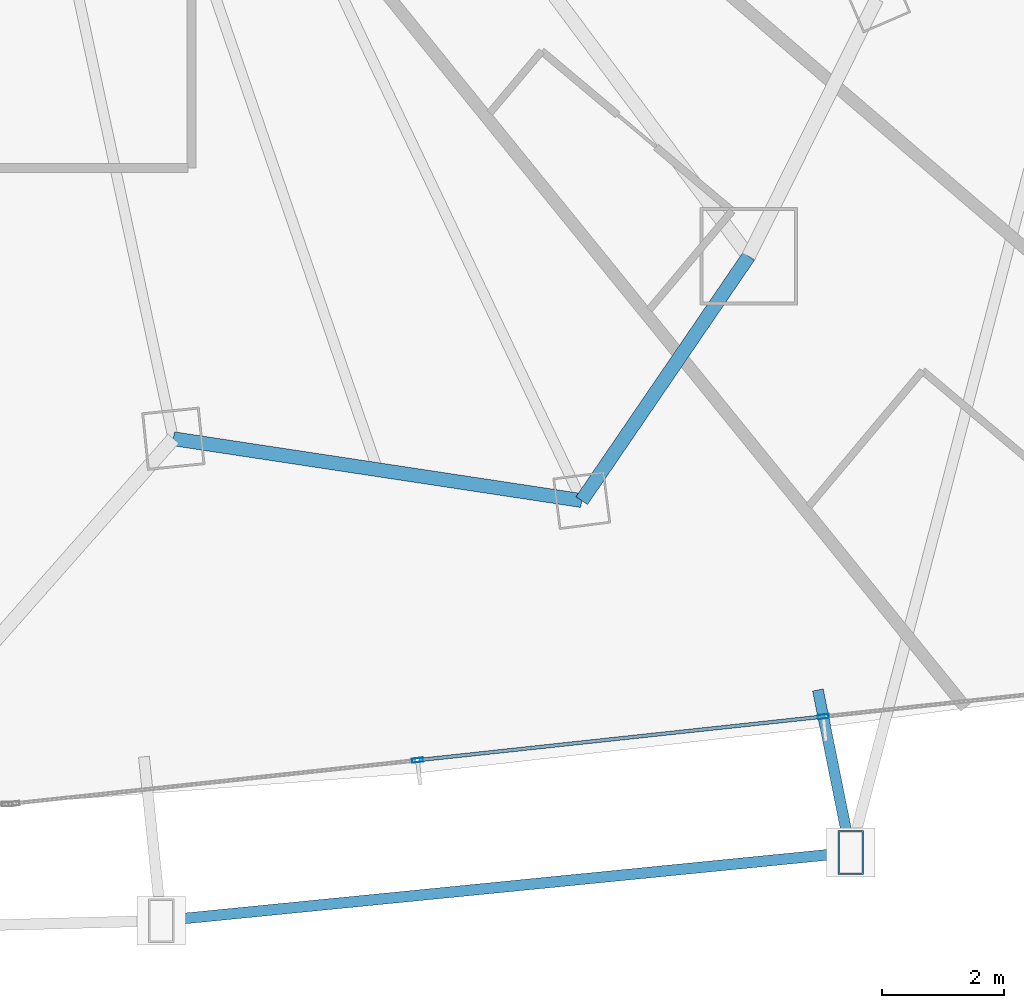
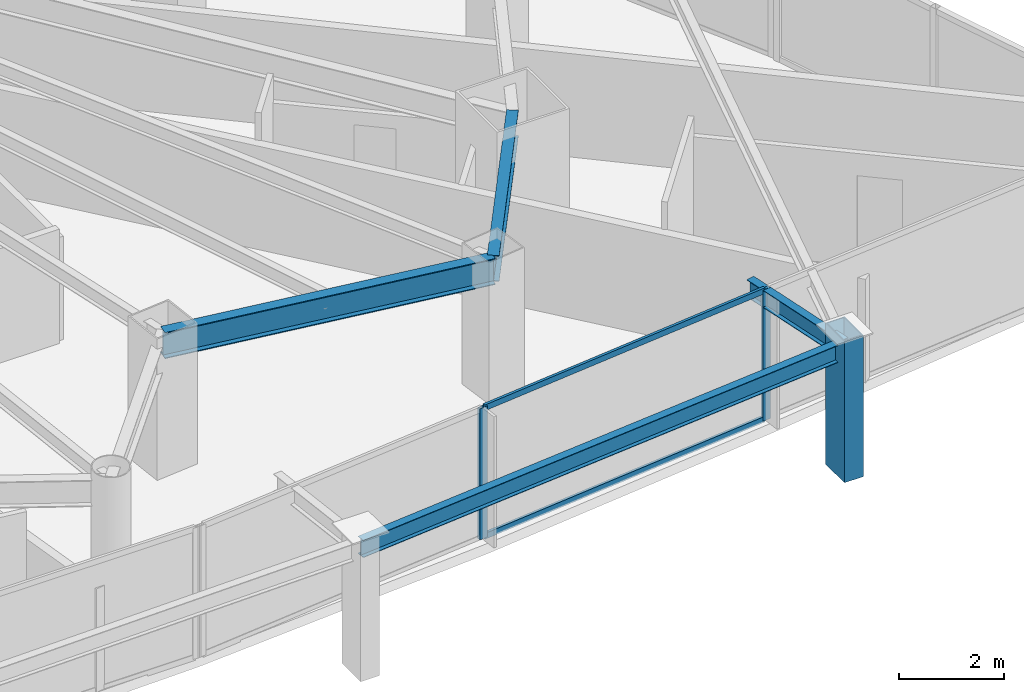
# One storey, part 13 of 35: 5 members, 4 beams, 1 element without a shape of its own.
"""IFC4 building model written with IfcOpenShell, lengths in metres."""

import ifcopenshell
import ifcopenshell.guid

model = None  # the IFC model being written
_history = None  # IfcOwnerHistory: only IFC2X3 demands one
_inside = {}  # id of a spatial element -> (the spatial element, [elements in it])
_under = {}  # id of a project, library or spatial element -> (it, [spatial elements below it])
_declared = {}  # id of a project -> (the project, [libraries it declares])
_typed = {}  # id of a type object -> (the type object, [elements of that type])
_made_of = {}  # id of a material, layer set ... -> (it, [elements and type objects made of it])


def new_model(schema):
    """Start an empty IFC model of exactly this schema.

    Asked for "IFC4X3", IfcOpenShell would pick the latest addendum, in which some entities
    have other attributes; the version numbers below select the first issue.
    IFC2X3 requires an IfcOwnerHistory on every rooted entity: one is made here for all.
    """
    global model, _history
    if schema == "IFC4X3":
        model = ifcopenshell.file(schema_version=(4, 3, 0, 0))
    else:
        model = ifcopenshell.file(schema=schema)
    _inside.clear()
    _under.clear()
    _declared.clear()
    _typed.clear()
    _made_of.clear()
    _history = None
    if model.schema == "IFC2X3":
        org = make("IfcOrganization", Name="unknown")
        user = make(
            "IfcPersonAndOrganization",
            ThePerson=make("IfcPerson", FamilyName="unknown"),
            TheOrganization=org,
        )
        app = make(
            "IfcApplication",
            ApplicationDeveloper=org,
            Version="unknown",
            ApplicationFullName="unknown",
            ApplicationIdentifier="unknown",
        )
        _history = make(
            "IfcOwnerHistory",
            OwningUser=user,
            OwningApplication=app,
            ChangeAction="ADDED",
            CreationDate=0,
        )
    return model


def make(cls, **values):
    """One entity of the class cls with the attributes given. An attribute that is None is left unset."""
    return model.create_entity(
        cls, **{name: value for name, value in values.items() if value is not None}
    )


def rooted(cls, **values):
    """An entity with a GlobalId (a new one), such as an element, a storey or a relation."""
    return make(cls, GlobalId=ifcopenshell.guid.new(), OwnerHistory=_history, **values)


def si_unit(unit_type, name, prefix=None):
    """IfcSIUnit, for example si_unit("LENGTHUNIT", "METRE", prefix="MILLI")."""
    return make("IfcSIUnit", UnitType=unit_type, Prefix=prefix, Name=name)


def assignment(units):
    """IfcUnitAssignment: the units of a project."""
    return None if units is None else make("IfcUnitAssignment", Units=units)


def point(xyz):
    """IfcCartesianPoint."""
    return None if xyz is None else make("IfcCartesianPoint", Coordinates=xyz)


def direction(xyz):
    """IfcDirection."""
    return None if xyz is None else make("IfcDirection", DirectionRatios=xyz)


def frame(location, z_axis=None, x_axis=None):
    """IfcAxis2Placement3D, a coordinate frame: its origin and axes. An axis left out is left unset."""
    return make(
        "IfcAxis2Placement3D",
        Location=point(location),
        Axis=direction(z_axis),
        RefDirection=direction(x_axis),
    )


def frame_2d(location, x_axis=None):
    """IfcAxis2Placement2D, a coordinate frame in the plane: its origin and x axis."""
    return make(
        "IfcAxis2Placement2D", Location=point(location), RefDirection=direction(x_axis)
    )


def origin():
    """The frame at (0, 0, 0) with its axes left unset."""
    return frame((0.0, 0.0, 0.0))


def origin_2d():
    """The frame at (0, 0) in the plane with its x axis left unset."""
    return frame_2d((0.0, 0.0))


def place(relative_to, where):
    """IfcLocalPlacement: puts the frame where relative to a parent placement (None: the world)."""
    return make(
        "IfcLocalPlacement", PlacementRelTo=relative_to, RelativePlacement=where
    )


def context(
    kind, dimensions, precision=None, world=None, true_north=None, identifier=None
):
    """IfcGeometricRepresentationContext, for example the 3D "Model" context."""
    return make(
        "IfcGeometricRepresentationContext",
        ContextIdentifier=identifier,
        ContextType=kind,
        CoordinateSpaceDimension=dimensions,
        Precision=precision,
        WorldCoordinateSystem=world,
        TrueNorth=true_north,
    )


def subcontext(parent, identifier, kind, view, scale=None):
    """IfcGeometricRepresentationSubContext, for example "Body" below "Model"."""
    return make(
        "IfcGeometricRepresentationSubContext",
        ContextIdentifier=identifier,
        ContextType=kind,
        ParentContext=parent,
        TargetScale=scale,
        TargetView=view,
    )


def project(units=None, contexts=None):
    """IfcProject with its units and contexts."""
    return rooted(
        "IfcProject",
        Name="project",
        RepresentationContexts=contexts,
        UnitsInContext=assignment(units),
    )


def spatial(cls, under=None, at=None, **own):
    """A site, building, storey or space (cls), placed at a placement, below another one or the project."""
    s = rooted(cls, ObjectPlacement=at, **own)
    if under is not None:
        _under.setdefault(under.id(), (under, []))[1].append(s)
    return s


def profile(cls, at=None, kind="AREA", **sizes):
    """A parametric profile (cls). Its sizes go by their IFC names, for example OverallWidth=200.0."""
    return make(cls, ProfileType=kind, Position=at, **sizes)


def hollow_rectangle(**sizes):
    """IfcRectangleHollowProfileDef."""
    return profile("IfcRectangleHollowProfileDef", **sizes)


def i_section(**sizes):
    """IfcIShapeProfileDef."""
    return profile("IfcIShapeProfileDef", **sizes)


def extrude(swept, where, along, depth):
    """IfcExtrudedAreaSolid: the profile swept, set in the frame where, extruded along a direction by depth."""
    return make(
        "IfcExtrudedAreaSolid",
        SweptArea=swept,
        Position=where,
        ExtrudedDirection=direction(along),
        Depth=depth,
    )


def shape(context_of_items, identifier, shape_type, items):
    """IfcShapeRepresentation: the items that make up one representation, for example the "Body"."""
    return make(
        "IfcShapeRepresentation",
        ContextOfItems=context_of_items,
        RepresentationIdentifier=identifier,
        RepresentationType=shape_type,
        Items=items,
    )


def material(Name=None, Category=None):
    """IfcMaterial."""
    return make("IfcMaterial", Name=Name, Category=Category)


def layer(
    of_material, thickness, ventilated=None, Name=None, Category=None, Priority=None
):
    """IfcMaterialLayer: one layer of a wall or slab, of a material (None: an air gap)."""
    return make(
        "IfcMaterialLayer",
        Material=of_material,
        LayerThickness=thickness,
        IsVentilated=ventilated,
        Name=Name,
        Category=Category,
        Priority=Priority,
    )


def layer_set(layers, Name=None):
    """IfcMaterialLayerSet."""
    return make("IfcMaterialLayerSet", MaterialLayers=layers, LayerSetName=Name)


def material_profile(
    of_material, cross_section, Name=None, Category=None, Priority=None
):
    """IfcMaterialProfile: a cross section and its material."""
    return make(
        "IfcMaterialProfile",
        Name=Name,
        Material=of_material,
        Profile=cross_section,
        Priority=Priority,
        Category=Category,
    )


def profile_set(profiles, Name=None, composite=None):
    """IfcMaterialProfileSet."""
    return make(
        "IfcMaterialProfileSet",
        Name=Name,
        MaterialProfiles=profiles,
        CompositeProfile=composite,
    )


def made_of(thing, what):
    """Note that an element or type object is made of a material, layer set ...; save() writes the relation."""
    if what is not None:
        _made_of.setdefault(what.id(), (what, []))[1].append(thing)
    return thing


def type_object(cls, material=None, **own):
    """A type object (cls), such as IfcWallType, which elements share."""
    return made_of(rooted(cls, **own), material)


def element(
    cls,
    number,
    at=None,
    inside=None,
    cuts=None,
    type_object=None,
    material=None,
    context=None,
    identifier="Body",
    shape_type=None,
    held_by="IfcProductDefinitionShape",
    body=None,
    shapes=None,
    **own,
):
    """One element of the class cls, such as IfcWall. Its Tag is "e" and its number.

    at: its placement. inside: the storey or other place that contains it. cuts: it is an
    opening in that element (IfcRelVoidsElement). A single representation is given by context,
    identifier, shape_type and body (its items); several are given by shapes. held_by: the class
    of the entity that holds the representations. save() writes the other relations.
    """
    e = rooted(cls, Tag="e%d" % number, ObjectPlacement=at, **own)
    if body is not None:
        shapes = [shape(context, identifier, shape_type, body)]
    if shapes is not None:
        e.Representation = make(held_by, Representations=shapes)
    if inside is not None:
        _inside.setdefault(inside.id(), (inside, []))[1].append(e)
    if cuts is not None:
        rooted(
            "IfcRelVoidsElement", RelatingBuildingElement=cuts, RelatedOpeningElement=e
        )
    if type_object is not None:
        _typed.setdefault(type_object.id(), (type_object, []))[1].append(e)
    return made_of(e, material)


def aggregate(whole, parts):
    """IfcRelAggregates: a whole, such as a stair, and the parts it consists of."""
    return rooted("IfcRelAggregates", RelatingObject=whole, RelatedObjects=parts)


def save(model, path):
    """Write the relations noted so far, then the file.

    IfcRelAggregates (storeys below a building ...), IfcRelContainedInSpatialStructure (elements
    in a storey), IfcRelDefinesByType, IfcRelAssociatesMaterial and IfcRelDeclares: one each for
    every whole, place, type object, material and project.
    """
    for whole, parts in _under.values():
        aggregate(whole, parts)
    for where, things in _inside.values():
        rooted(
            "IfcRelContainedInSpatialStructure",
            RelatedElements=things,
            RelatingStructure=where,
        )
    for kind, things in _typed.values():
        rooted("IfcRelDefinesByType", RelatedObjects=things, RelatingType=kind)
    for what, things in _made_of.values():
        rooted("IfcRelAssociatesMaterial", RelatedObjects=things, RelatingMaterial=what)
    for by, libraries in _declared.values():
        rooted("IfcRelDeclares", RelatingContext=by, RelatedDefinitions=libraries)
    model.write(path)


model = new_model("IFC4")

# Units and contexts
model_context = context("Model", 3, precision=1e-05, world=origin(), true_north=direction((0.0, 1.0)))
body_context = subcontext(model_context, "Body", "Model", "MODEL_VIEW")
ifc_project = project(units=[si_unit("LENGTHUNIT", "METRE"), si_unit("AREAUNIT", "SQUARE_METRE"), si_unit("VOLUMEUNIT", "CUBIC_METRE"), si_unit("PLANEANGLEUNIT", "RADIAN"), si_unit("MASSUNIT", "GRAM", prefix="KILO")], contexts=[model_context])

# Site, building, storey
site_placement = place(None, origin())
site = spatial("IfcSite", under=ifc_project, at=site_placement, CompositionType="ELEMENT")
building_placement = place(site_placement, origin())
building = spatial("IfcBuilding", under=site, at=building_placement, Name="Orvanel Arch Residences", CompositionType="ELEMENT")
storey_placement = place(building_placement, frame((0.0, 0.0, 40.10009765625)))
storey = spatial("IfcBuildingStorey", under=building, at=storey_placement, Name="L10", CompositionType="ELEMENT", Elevation=40.10009765625)

# Member
ifc_material_1 = material(Name="Structural steel AS/NZS 3678 Grade 350", Category="steel")
ifc_material_profile_1 = material_profile(ifc_material_1, hollow_rectangle(XDim=0.419921875, YDim=0.719970703125, WallThickness=0.02490234375, at=origin_2d()), Name="RHS720x420x25")
ifc_profile_set_1 = profile_set([ifc_material_profile_1], Name="Structural steel AS/NZS 3678 Grade 350")
member_type_1 = type_object("IfcMemberType", Name="CH-720RHS-EXT", PredefinedType="CHORD", material=ifc_profile_set_1)
member_1_placement = place(storey_placement, frame((53.47607421875, 0.55810546875, 0.0), z_axis=(0.0, 0.0, 1.0), x_axis=(1.0, 0.0, 0.0)))
element("IfcMember", 1, at=member_1_placement, inside=storey, type_object=member_type_1, Name="L10 Outer Perimeter Frame Post 08", PredefinedType="CHORD", context=body_context, shape_type="SweptSolid", body=[
    extrude(hollow_rectangle(XDim=0.419921875, YDim=0.719970703125, WallThickness=0.02490234375, at=origin_2d()), origin(), (0.0, 0.0, 1.0), 3.2998046875),
])

# Curtain wall, members
ifc_material_2 = material(Name="Bronze-anodised aluminium AA6063-T6", Category="aluminium")
ifc_layer = layer(ifc_material_2, 0.179931640625)
ifc_layer_set = layer_set([ifc_layer], Name="Bronze-anodised aluminium AA6063-T6")
curtain_wall_type = type_object("IfcCurtainWallType", Name="CW2-LOW-SYS", PredefinedType="NOTDEFINED", material=ifc_layer_set)
curtain_wall_placement = place(storey_placement, origin())
curtain_wall = element("IfcCurtainWall", 2, at=curtain_wall_placement, inside=storey, type_object=curtain_wall_type, Name="L10 CW2-LOW-SYS Unitised Curtain Wall", PredefinedType="NOTDEFINED")
ifc_material_profile_2 = material_profile(ifc_material_2, hollow_rectangle(XDim=0.070068359375, YDim=0.179931640625, WallThickness=0.00439453125, at=origin_2d()), Name="ALU180x70x4.5")
ifc_profile_set_2 = profile_set([ifc_material_profile_2], Name="Bronze-anodised aluminium AA6063-T6")
member_type_2 = type_object("IfcMemberType", Name="MUL-180x70", PredefinedType="MULLION", material=ifc_profile_set_2)
member_2_placement = place(storey_placement, frame((46.3623046875, 2.07470703125, 0.0), z_axis=(0.0, 0.0, 1.0), x_axis=(-0.106921178668, 0.994267499998, 0.0)))
member_2 = element("IfcMember", 3, at=member_2_placement, type_object=member_type_2, Name="CW-S2 mullion 2", PredefinedType="MULLION", context=body_context, shape_type="SweptSolid", body=[
    extrude(hollow_rectangle(XDim=0.070068359375, YDim=0.179931640625, WallThickness=0.00439453125, at=origin_2d()), origin(), (0.0, 0.0, 1.0), 3.059814453125),
])
member_3_placement = place(storey_placement, frame((53.026611328125, 2.791259765625, 0.0), z_axis=(0.0, 0.0, 1.0), x_axis=(-0.106921178668, 0.994267499998, 0.0)))
member_3 = element("IfcMember", 4, at=member_3_placement, type_object=member_type_2, Name="CW-S2 mullion 3", PredefinedType="MULLION", context=body_context, shape_type="SweptSolid", body=[
    extrude(hollow_rectangle(XDim=0.070068359375, YDim=0.179931640625, WallThickness=0.00439453125, at=origin_2d()), origin(), (0.0, 0.0, 1.0), 3.059814453125),
])

# Beams
ifc_material_3 = material(Name="Structural steel AS/NZS 3679.1 Grade 300 (300 MPa)", Category="steel")
ifc_material_profile_3 = material_profile(ifc_material_3, i_section(OverallWidth=0.177978515625, OverallDepth=0.406005859375, WebThickness=0.0078125, FlangeThickness=0.0126953125, at=origin_2d()), Name="410UB59.7")
ifc_profile_set_3 = profile_set([ifc_material_profile_3], Name="Structural steel AS/NZS 3679.1 Grade 300 (300 MPa)")
beam_type_1 = type_object("IfcBeamType", Name="OB-410UB-EXT", PredefinedType="SPANDREL", material=ifc_profile_set_3)
beam_1_placement = place(storey_placement, frame((42.14990234375, -0.56298828125, 2.85693359375), z_axis=(0.995136929714, 0.098501223945, 0.0), x_axis=(-0.098501223945, 0.995136929714, 0.0)))
element("IfcBeam", 5, at=beam_1_placement, inside=storey, type_object=beam_type_1, Name="L10 Outer Perimeter Floor Ring Beam 07", PredefinedType="SPANDREL", context=body_context, shape_type="SweptSolid", body=[
    extrude(i_section(OverallWidth=0.177978515625, OverallDepth=0.406005859375, WebThickness=0.0078125, FlangeThickness=0.0126953125, at=origin_2d()), origin(), (0.0, 0.0, 1.0), 11.381591796875),
])
beam_2_placement = place(storey_placement, frame((52.93798828125, 3.22802734375, 2.85693359375), z_axis=(0.197563932826, -0.980290004257, 0.0), x_axis=(0.980290004257, 0.197563932826, 0.0)))
element("IfcBeam", 6, at=beam_2_placement, inside=storey, type_object=beam_type_1, Name="L10 Outer Frame Radial Tie Beam 08", PredefinedType="SPANDREL", context=body_context, shape_type="SweptSolid", body=[
    extrude(i_section(OverallWidth=0.177978515625, OverallDepth=0.406005859375, WebThickness=0.0078125, FlangeThickness=0.0126953125, at=origin_2d()), origin(), (0.0, 0.0, 1.0), 2.7236328125),
])
ifc_material_profile_4 = material_profile(ifc_material_3, i_section(OverallWidth=0.22900390625, OverallDepth=0.612060546875, WebThickness=0.011962890625, FlangeThickness=0.01953125, at=origin_2d()), Name="610UB125")
ifc_profile_set_4 = profile_set([ifc_material_profile_4], Name="Structural steel AS/NZS 3679.1 Grade 300 (300 MPa)")
beam_type_2 = type_object("IfcBeamType", Name="SP-610UB", PredefinedType="SPANDREL", material=ifc_profile_set_4)
beam_3_placement = place(storey_placement, frame((42.35107421875, 7.35498046875, 2.75390625), z_axis=(0.988726323014, -0.149733958002, 0.0), x_axis=(0.149733958002, 0.988726323014, 0.0)))
element("IfcBeam", 7, at=beam_3_placement, inside=storey, type_object=beam_type_2, Name="L10 Perimeter Spandrel Beam 09", PredefinedType="SPANDREL", context=body_context, shape_type="SweptSolid", body=[
    extrude(i_section(OverallWidth=0.22900390625, OverallDepth=0.612060546875, WebThickness=0.011962890625, FlangeThickness=0.01953125, at=origin_2d()), origin(), (0.0, 0.0, 1.0), 6.784423828125),
])
beam_4_placement = place(storey_placement, frame((49.05908203125, 6.339111328125, 2.75390625), z_axis=(0.564251579852, 0.825602903722, 0.0), x_axis=(-0.825602903722, 0.564251579852, 0.0)))
element("IfcBeam", 8, at=beam_4_placement, inside=storey, type_object=beam_type_2, Name="L10 Perimeter Spandrel Beam 10", PredefinedType="SPANDREL", context=body_context, shape_type="SweptSolid", body=[
    extrude(i_section(OverallWidth=0.22900390625, OverallDepth=0.612060546875, WebThickness=0.011962890625, FlangeThickness=0.01953125, at=origin_2d()), origin(), (0.0, 0.0, 1.0), 4.859375),
])

# Member
ifc_material_profile_5 = material_profile(ifc_material_2, hollow_rectangle(XDim=0.06005859375, YDim=0.135009765625, WallThickness=0.00390625, at=origin_2d()), Name="ALU135x60x4")
ifc_profile_set_5 = profile_set([ifc_material_profile_5], Name="Bronze-anodised aluminium AA6063-T6")
member_type_3 = type_object("IfcMemberType", Name="TRN-135x60", PredefinedType="USERDEFINED", material=ifc_profile_set_5)
member_4_placement = place(storey_placement, frame((46.397216796875, 2.078369140625, 0.02978515625), z_axis=(0.994266743516, 0.106928213013, 0.0), x_axis=(-0.106928213013, 0.994266743516, 0.0)))
member_4 = element("IfcMember", 9, at=member_4_placement, type_object=member_type_3, Name="CW-S2 transom 2.1", ObjectType="TRANSOM", PredefinedType="USERDEFINED", context=body_context, shape_type="SweptSolid", body=[
    extrude(hollow_rectangle(XDim=0.06005859375, YDim=0.135009765625, WallThickness=0.00390625, at=origin_2d()), origin(), (0.0, 0.0, 1.0), 6.6328125),
])

member_5_placement = place(storey_placement, frame((46.397216796875, 2.078369140625, 3.02978515625), z_axis=(0.994266743516, 0.106928213013, 0.0), x_axis=(-0.106928213013, 0.994266743516, 0.0)))
member_5 = element("IfcMember", 10, at=member_5_placement, type_object=member_type_3, Name="CW-S2 transom 2.2", ObjectType="TRANSOM", PredefinedType="USERDEFINED", context=body_context, shape_type="SweptSolid", body=[
    extrude(hollow_rectangle(XDim=0.06005859375, YDim=0.135009765625, WallThickness=0.00390625, at=origin_2d()), origin(), (0.0, 0.0, 1.0), 6.6328125),
])

aggregate(curtain_wall, [member_2, member_3, member_4, member_5])

save(model, "model.ifc")
